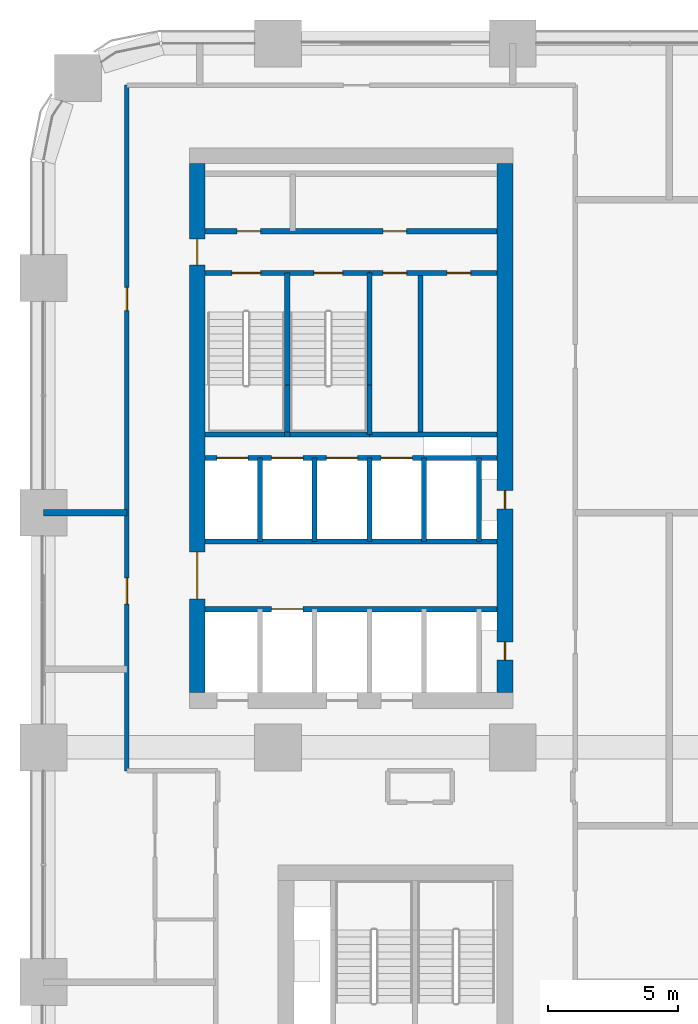
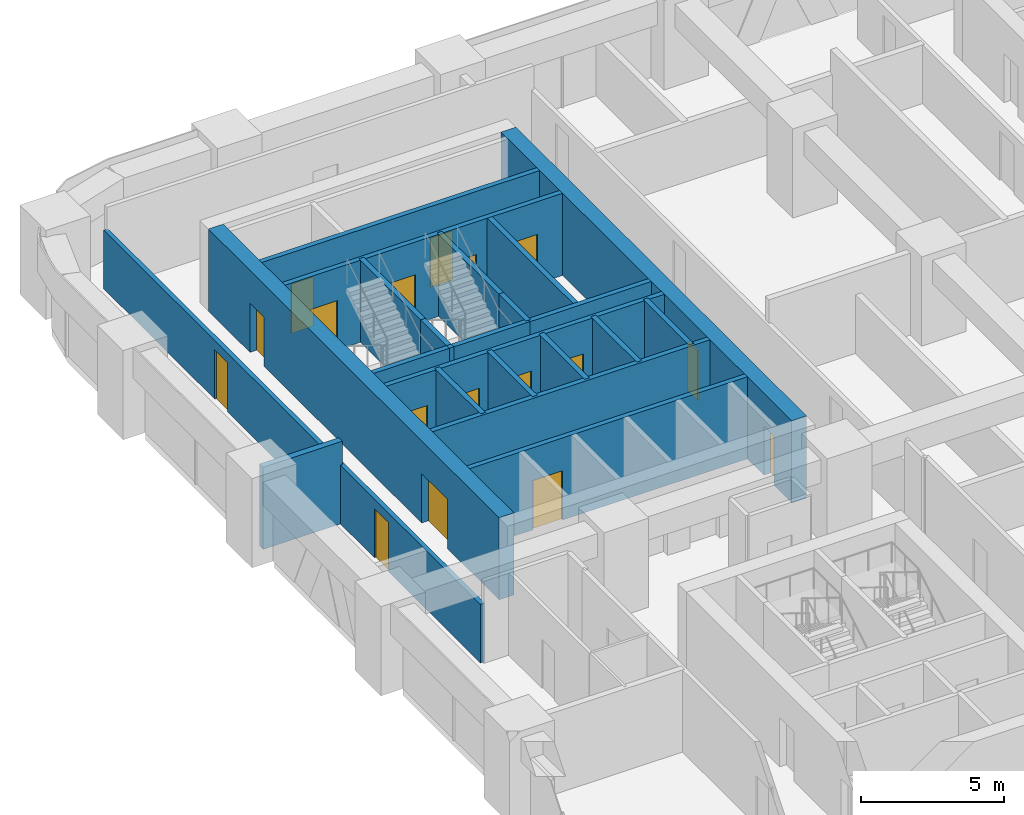
# One storey, part 16 of 21: 24 walls, 17 doors, 17 openings.
"""IFC4 building model written with IfcOpenShell, lengths in metres."""

from ifc_helpers import new_model, si_unit, direction, frame, frame_2d, origin, place, context, subcontext, project, spatial, rectangle, extrude, material, layer, layer_set, type_object, element, fill, save


model = new_model("IFC4")

# Units and contexts
model_context = context("Model", 3, precision=1e-05, world=origin(), true_north=direction((0.0, 1.0)))
body_context = subcontext(model_context, "Body", "Model", "MODEL_VIEW")
ifc_project = project(units=[si_unit("LENGTHUNIT", "METRE"), si_unit("AREAUNIT", "SQUARE_METRE"), si_unit("VOLUMEUNIT", "CUBIC_METRE"), si_unit("PLANEANGLEUNIT", "RADIAN"), si_unit("MASSUNIT", "GRAM", prefix="KILO")], contexts=[model_context])

# Site, building, storey
site_placement = place(None, origin())
site = spatial("IfcSite", under=ifc_project, at=site_placement, CompositionType="ELEMENT")
building_placement = place(site_placement, origin())
building = spatial("IfcBuilding", under=site, at=building_placement, Name="Tessera Arch", CompositionType="ELEMENT")
storey_placement = place(building_placement, frame((0.0, 0.0, 65.199951171875)))
storey = spatial("IfcBuildingStorey", under=building, at=storey_placement, Name="L14", CompositionType="ELEMENT", Elevation=65.199951171875)

# Wall
ifc_material_1 = material(Name="Gypsum board on steel stud", Category="steel")
ifc_layer_1 = layer(ifc_material_1, 0.125)
ifc_layer_set_1 = layer_set([ifc_layer_1], Name="Core partition 125 EI 60")
wall_type_1 = type_object("IfcWallType", Name="Core partition 125 EI 60", PredefinedType="PARTITIONING", material=ifc_layer_set_1)
wall_1_placement = place(storey_placement, frame((14.4599609375, 39.0, 0.0), z_axis=(0.0, 0.0, 1.0), x_axis=(0.0, 1.0, 0.0)))
element("IfcWall", 1, at=wall_1_placement, inside=storey, type_object=wall_type_1, Name="L14 C2 partition wall 12", PredefinedType="PARTITIONING", context=body_context, shape_type="SweptSolid", body=[
    extrude(rectangle(XDim=6.199951171875, YDim=0.199951171875, at=frame_2d((3.10009765625, 0.0))), origin(), (0.0, 0.0, 1.0), 3.5),
])

# Wall, openings, doors
wall_2_placement = place(storey_placement, frame((12.5, 45.199951171875, 0.0), z_axis=(0.0, 0.0, 1.0), x_axis=(1.0, 0.0, 0.0)))
wall_2 = element("IfcWall", 2, at=wall_2_placement, inside=storey, type_object=wall_type_1, Name="L14 C2 partition wall 24", PredefinedType="PARTITIONING", context=body_context, shape_type="SweptSolid", body=[
    extrude(rectangle(XDim=4.89990234375, YDim=0.199951171875, at=frame_2d((2.449951171875, 0.0))), origin(), (0.0, 0.0, 1.0), 3.5),
])
opening_1_placement = place(wall_2_placement, frame((0.530029296875, 0.0, 0.0)))
opening_1 = element("IfcOpeningElement", 3, at=opening_1_placement, cuts=wall_2, Name="Opening L14-C30", PredefinedType="OPENING", context=body_context, shape_type="SweptSolid", body=[
    extrude(rectangle(XDim=0.89990234375, YDim=2.10009765625, at=frame_2d((0.449951171875, 1.050048828125))), frame((0.0, 0.10986328125, 0.0), z_axis=(0.0, -1.0, 0.0), x_axis=(1.0, 0.0, 0.0)), (0.0, 0.0, 1.0), 0.219970703125),
])
opening_2_placement = place(wall_2_placement, frame((2.97998046875, 0.0, 0.0)))
opening_2 = element("IfcOpeningElement", 4, at=opening_2_placement, cuts=wall_2, Name="Opening L14-C31", PredefinedType="OPENING", context=body_context, shape_type="SweptSolid", body=[
    extrude(rectangle(XDim=0.89990234375, YDim=2.10009765625, at=frame_2d((0.449951171875, 1.050048828125))), frame((0.0, 0.10986328125, 0.0), z_axis=(0.0, -1.0, 0.0), x_axis=(1.0, 0.0, 0.0)), (0.0, 0.0, 1.0), 0.219970703125),
])
ifc_material_2 = material(Name="Steel door leaf", Category="steel")
door_type_1 = type_object("IfcDoorType", Name="Store door FD30S 900 x 2100", OperationType="SINGLE_SWING_LEFT", PredefinedType="DOOR", material=ifc_material_2)
door_1_placement = place(opening_1_placement, origin())
door_1 = element("IfcDoor", 5, at=door_1_placement, inside=storey, type_object=door_type_1, Name="L14 C2 door 17 C30 type D09", OperationType="SINGLE_SWING_LEFT", OverallHeight=2.10009765625, OverallWidth=0.89990234375, PredefinedType="DOOR", context=body_context, shape_type="SweptSolid", body=[
    extrude(rectangle(XDim=0.89990234375, YDim=2.10009765625, at=frame_2d((0.449951171875, 1.050048828125))), frame((0.0, 0.02490234375, 0.0), z_axis=(0.0, -1.0, 0.0), x_axis=(1.0, 0.0, 0.0)), (0.0, 0.0, 1.0), 0.050048828125),
])
fill(opening_1, door_1)
door_2_placement = place(opening_2_placement, origin())
door_2 = element("IfcDoor", 6, at=door_2_placement, inside=storey, type_object=door_type_1, Name="L14 C2 door 18 C31 type D09", OperationType="SINGLE_SWING_RIGHT", OverallHeight=2.10009765625, OverallWidth=0.89990234375, PredefinedType="DOOR", context=body_context, shape_type="SweptSolid", body=[
    extrude(rectangle(XDim=0.89990234375, YDim=2.10009765625, at=frame_2d((0.449951171875, 1.050048828125))), frame((0.0, 0.02490234375, 0.0), z_axis=(0.0, -1.0, 0.0), x_axis=(1.0, 0.0, 0.0)), (0.0, 0.0, 1.0), 0.050048828125),
])
fill(opening_2, door_2)

wall_3_placement = place(storey_placement, frame((6.199951171875, 46.800048828125, 0.0), z_axis=(0.0, 0.0, 1.0), x_axis=(1.0, 0.0, 0.0)))
wall_3 = element("IfcWall", 7, at=wall_3_placement, inside=storey, type_object=wall_type_1, Name="L14 C2 partition wall 26", PredefinedType="PARTITIONING", context=body_context, shape_type="SweptSolid", body=[
    extrude(rectangle(XDim=11.199951171875, YDim=0.199951171875, at=frame_2d((5.60009765625, 0.0))), origin(), (0.0, 0.0, 1.0), 3.5),
])
opening_3_placement = place(wall_3_placement, frame((1.22998046875, 0.0, 0.0)))
opening_3 = element("IfcOpeningElement", 8, at=opening_3_placement, cuts=wall_3, Name="Opening L14-C28", PredefinedType="OPENING", context=body_context, shape_type="SweptSolid", body=[
    extrude(rectangle(XDim=0.89990234375, YDim=2.10009765625, at=frame_2d((0.449951171875, 1.050048828125))), frame((0.0, 0.10986328125, 0.0), z_axis=(0.0, -1.0, 0.0), x_axis=(1.0, 0.0, 0.0)), (0.0, 0.0, 1.0), 0.219970703125),
])
opening_4_placement = place(wall_3_placement, frame((6.830078125, 0.0, 0.0)))
opening_4 = element("IfcOpeningElement", 9, at=opening_4_placement, cuts=wall_3, Name="Opening L14-C29", PredefinedType="OPENING", context=body_context, shape_type="SweptSolid", body=[
    extrude(rectangle(XDim=0.89990234375, YDim=2.10009765625, at=frame_2d((0.449951171875, 1.050048828125))), frame((0.0, 0.10986328125, 0.0), z_axis=(0.0, -1.0, 0.0), x_axis=(1.0, 0.0, 0.0)), (0.0, 0.0, 1.0), 0.219970703125),
])
door_3_placement = place(opening_3_placement, origin())
door_3 = element("IfcDoor", 10, at=door_3_placement, inside=storey, type_object=door_type_1, Name="L14 C2 door 15 C28 type D09", OperationType="SINGLE_SWING_LEFT", OverallHeight=2.10009765625, OverallWidth=0.89990234375, PredefinedType="DOOR", context=body_context, shape_type="SweptSolid", body=[
    extrude(rectangle(XDim=0.89990234375, YDim=2.10009765625, at=frame_2d((0.449951171875, 1.050048828125))), frame((0.0, 0.02490234375, 0.0), z_axis=(0.0, -1.0, 0.0), x_axis=(1.0, 0.0, 0.0)), (0.0, 0.0, 1.0), 0.050048828125),
])
fill(opening_3, door_3)
door_4_placement = place(opening_4_placement, origin())
door_4 = element("IfcDoor", 11, at=door_4_placement, inside=storey, type_object=door_type_1, Name="L14 C2 door 16 C29 type D09", OperationType="SINGLE_SWING_RIGHT", OverallHeight=2.10009765625, OverallWidth=0.89990234375, PredefinedType="DOOR", context=body_context, shape_type="SweptSolid", body=[
    extrude(rectangle(XDim=0.89990234375, YDim=2.10009765625, at=frame_2d((0.449951171875, 1.050048828125))), frame((0.0, 0.02490234375, 0.0), z_axis=(0.0, -1.0, 0.0), x_axis=(1.0, 0.0, 0.0)), (0.0, 0.0, 1.0), 0.050048828125),
])
fill(opening_4, door_4)

ifc_material_3 = material(Name="Concrete C70/85", Category="concrete")
ifc_layer_2 = layer(ifc_material_3, 0.60009765625)
ifc_layer_set_2 = layer_set([ifc_layer_2], Name="Core shell wall 600 C70-85")
wall_type_2 = type_object("IfcWallType", Name="Core shell wall 600 C70-85", PredefinedType="SHEAR", material=ifc_layer_set_2)
wall_4_placement = place(storey_placement, frame((5.89990234375, 29.10009765625, 0.0), z_axis=(0.0, 0.0, 1.0), x_axis=(0.0, 1.0, 0.0)))
wall_4 = element("IfcWall", 12, at=wall_4_placement, inside=storey, type_object=wall_type_2, Name="L14 C2 core wall W", PredefinedType="SHEAR", context=body_context, shape_type="SweptSolid", body=[
    extrude(rectangle(XDim=20.2998046875, YDim=0.60009765625, at=frame_2d((10.14990234375, 0.0))), origin(), (0.0, 0.0, 1.0), 3.5),
])
opening_5_placement = place(wall_4_placement, frame((3.60009765625, 0.0, 0.0)))
opening_5 = element("IfcOpeningElement", 13, at=opening_5_placement, cuts=wall_4, Name="Opening L14-C24", PredefinedType="OPENING", context=body_context, shape_type="SweptSolid", body=[
    extrude(rectangle(XDim=1.800048828125, YDim=2.10009765625, at=frame_2d((0.89990234375, 1.050048828125))), frame((0.0, 0.31005859375, 0.0), z_axis=(0.0, -1.0, 0.0), x_axis=(1.0, 0.0, 0.0)), (0.0, 0.0, 1.0), 0.6201171875),
])
opening_6_placement = place(wall_4_placement, frame((16.39990234375, 0.0, 0.0)))
opening_6 = element("IfcOpeningElement", 14, at=opening_6_placement, cuts=wall_4, Name="Opening L14-C27", PredefinedType="OPENING", context=body_context, shape_type="SweptSolid", body=[
    extrude(rectangle(XDim=1.0, YDim=2.10009765625, at=frame_2d((0.5, 1.050048828125))), frame((0.0, 0.31005859375, 0.0), z_axis=(0.0, -1.0, 0.0), x_axis=(1.0, 0.0, 0.0)), (0.0, 0.0, 1.0), 0.6201171875),
])
ifc_material_4 = material(Name="Steel door leaf", Category="steel")
door_type_2 = type_object("IfcDoorType", Name="Corridor door FD60 1000 x 2100", OperationType="SINGLE_SWING_LEFT", PredefinedType="DOOR", material=ifc_material_4)
door_5_placement = place(opening_6_placement, origin())
door_5 = element("IfcDoor", 15, at=door_5_placement, inside=storey, type_object=door_type_2, Name="L14 C2 door 14 C27 type D12", OperationType="SINGLE_SWING_RIGHT", OverallHeight=2.10009765625, OverallWidth=1.0, PredefinedType="DOOR", context=body_context, shape_type="SweptSolid", body=[
    extrude(rectangle(XDim=1.0, YDim=2.10009765625, at=frame_2d((0.5, 1.050048828125))), frame((0.0, 0.02490234375, 0.0), z_axis=(0.0, -1.0, 0.0), x_axis=(1.0, 0.0, 0.0)), (0.0, 0.0, 1.0), 0.050048828125),
])
fill(opening_6, door_5)
ifc_material_5 = material(Name="Glazed steel door leaf", Category="steel")
door_type_3 = type_object("IfcDoorType", Name="Lobby double door FD30S 1800 x 2100", OperationType="DOUBLE_DOOR_SINGLE_SWING", PredefinedType="DOOR", material=ifc_material_5)
door_6_placement = place(opening_5_placement, origin())
door_6 = element("IfcDoor", 16, at=door_6_placement, inside=storey, type_object=door_type_3, Name="L14 C2 door 11 C24 type D06", OperationType="DOUBLE_DOOR_SINGLE_SWING", OverallHeight=2.10009765625, OverallWidth=1.800048828125, PredefinedType="DOOR", context=body_context, shape_type="SweptSolid", body=[
    extrude(rectangle(XDim=1.800048828125, YDim=2.10009765625, at=frame_2d((0.89990234375, 1.050048828125))), frame((0.0, 0.02490234375, 0.0), z_axis=(0.0, -1.0, 0.0), x_axis=(1.0, 0.0, 0.0)), (0.0, 0.0, 1.0), 0.050048828125),
])
fill(opening_5, door_6)

wall_5_placement = place(storey_placement, frame((17.699951171875, 29.10009765625, 0.0), z_axis=(0.0, 0.0, 1.0), x_axis=(0.0, 1.0, 0.0)))
wall_5 = element("IfcWall", 17, at=wall_5_placement, inside=storey, type_object=wall_type_2, Name="L14 C2 core wall E", PredefinedType="SHEAR", context=body_context, shape_type="SweptSolid", body=[
    extrude(rectangle(XDim=20.2998046875, YDim=0.60009765625, at=frame_2d((10.14990234375, 0.0))), origin(), (0.0, 0.0, 1.0), 3.5),
])
opening_7_placement = place(wall_5_placement, frame((1.25, 0.0, 0.0)))
opening_7 = element("IfcOpeningElement", 18, at=opening_7_placement, cuts=wall_5, Name="Opening L14-C22", PredefinedType="OPENING", context=body_context, shape_type="SweptSolid", body=[
    extrude(rectangle(XDim=0.699951171875, YDim=2.10009765625, at=frame_2d((0.35009765625, 1.050048828125))), frame((0.0, 0.31005859375, 0.0), z_axis=(0.0, -1.0, 0.0), x_axis=(1.0, 0.0, 0.0)), (0.0, 0.0, 1.0), 0.6201171875),
])
opening_8_placement = place(wall_5_placement, frame((7.050048828125, 0.0, 0.0)))
opening_8 = element("IfcOpeningElement", 19, at=opening_8_placement, cuts=wall_5, Name="Opening L14-C23", PredefinedType="OPENING", context=body_context, shape_type="SweptSolid", body=[
    extrude(rectangle(XDim=0.699951171875, YDim=2.10009765625, at=frame_2d((0.35009765625, 1.050048828125))), frame((0.0, 0.31005859375, 0.0), z_axis=(0.0, -1.0, 0.0), x_axis=(1.0, 0.0, 0.0)), (0.0, 0.0, 1.0), 0.6201171875),
])
ifc_material_6 = material(Name="Steel door leaf", Category="steel")
door_type_4 = type_object("IfcDoorType", Name="Service shaft door FD60 700 x 2100", OperationType="SINGLE_SWING_LEFT", PredefinedType="DOOR", material=ifc_material_6)
door_7_placement = place(opening_7_placement, origin())
door_7 = element("IfcDoor", 20, at=door_7_placement, inside=storey, type_object=door_type_4, Name="L14 C2 door 9 C22 type D07", OperationType="SINGLE_SWING_LEFT", OverallHeight=2.10009765625, OverallWidth=0.699951171875, PredefinedType="DOOR", context=body_context, shape_type="SweptSolid", body=[
    extrude(rectangle(XDim=0.699951171875, YDim=2.10009765625, at=frame_2d((0.35009765625, 1.050048828125))), frame((0.0, 0.02490234375, 0.0), z_axis=(0.0, -1.0, 0.0), x_axis=(1.0, 0.0, 0.0)), (0.0, 0.0, 1.0), 0.050048828125),
])
fill(opening_7, door_7)
door_8_placement = place(opening_8_placement, origin())
door_8 = element("IfcDoor", 21, at=door_8_placement, inside=storey, type_object=door_type_4, Name="L14 C2 door 10 C23 type D07", OperationType="SINGLE_SWING_LEFT", OverallHeight=2.10009765625, OverallWidth=0.699951171875, PredefinedType="DOOR", context=body_context, shape_type="SweptSolid", body=[
    extrude(rectangle(XDim=0.699951171875, YDim=2.10009765625, at=frame_2d((0.35009765625, 1.050048828125))), frame((0.0, 0.02490234375, 0.0), z_axis=(0.0, -1.0, 0.0), x_axis=(1.0, 0.0, 0.0)), (0.0, 0.0, 1.0), 0.050048828125),
])
fill(opening_8, door_8)

ifc_material_7 = material(Name="Gypsum board on deep steel stud with mineral wool", Category="steel")
ifc_layer_3 = layer(ifc_material_7, 0.175048828125)
ifc_layer_set_3 = layer_set([ifc_layer_3], Name="Corridor wall 175 EI 60")
wall_type_3 = type_object("IfcWallType", Name="Corridor wall 175 EI 60", PredefinedType="PARTITIONING", material=ifc_layer_set_3)
wall_6_placement = place(storey_placement, frame((3.199951171875, 26.10009765625, 0.0), z_axis=(0.0, 0.0, 1.0), x_axis=(0.0, 1.0, 0.0)))
wall_6 = element("IfcWall", 22, at=wall_6_placement, inside=storey, type_object=wall_type_3, Name="L14 partition 17", PredefinedType="PARTITIONING", context=body_context, shape_type="SweptSolid", body=[
    extrude(rectangle(XDim=26.2998046875, YDim=0.175048828125, at=frame_2d((13.14990234375, 0.0))), origin(), (0.0, 0.0, 1.0), 2.5),
])
opening_9_placement = place(wall_6_placement, frame((6.39990234375, 0.0, 0.0)))
opening_9 = element("IfcOpeningElement", 23, at=opening_9_placement, cuts=wall_6, Name="Opening L14-D021", PredefinedType="OPENING", context=body_context, shape_type="SweptSolid", body=[
    extrude(rectangle(XDim=1.0, YDim=2.10009765625, at=frame_2d((0.5, 1.050048828125))), frame((0.0, 0.097412109375, 0.0), z_axis=(0.0, -1.0, 0.0), x_axis=(1.0, 0.0, 0.0)), (0.0, 0.0, 1.0), 0.195068359375),
])
opening_10_placement = place(wall_6_placement, frame((17.64990234375, 0.0, 0.0)))
opening_10 = element("IfcOpeningElement", 24, at=opening_10_placement, cuts=wall_6, Name="Opening L14-D025", PredefinedType="OPENING", context=body_context, shape_type="SweptSolid", body=[
    extrude(rectangle(XDim=0.89990234375, YDim=2.10009765625, at=frame_2d((0.449951171875, 1.050048828125))), frame((0.0, 0.097412109375, 0.0), z_axis=(0.0, -1.0, 0.0), x_axis=(1.0, 0.0, 0.0)), (0.0, 0.0, 1.0), 0.195068359375),
])
ifc_material_8 = material(Name="Fire-rated door leaf")
door_type_5 = type_object("IfcDoorType", Name="Entrance door FD30S 1000 x 2100", OperationType="SINGLE_SWING_LEFT", PredefinedType="DOOR", material=ifc_material_8)
door_9_placement = place(opening_9_placement, origin())
door_9 = element("IfcDoor", 25, at=door_9_placement, inside=storey, type_object=door_type_5, Name="L14 door D021 type D03", OperationType="SINGLE_SWING_LEFT", OverallHeight=2.10009765625, OverallWidth=1.0, PredefinedType="DOOR", context=body_context, shape_type="SweptSolid", body=[
    extrude(rectangle(XDim=1.0, YDim=2.10009765625, at=frame_2d((0.5, 1.050048828125))), frame((0.0, 0.02490234375, 0.0), z_axis=(0.0, -1.0, 0.0), x_axis=(1.0, 0.0, 0.0)), (0.0, 0.0, 1.0), 0.050048828125),
])
fill(opening_9, door_9)
ifc_material_9 = material(Name="Timber door leaf", Category="wood")
door_type_6 = type_object("IfcDoorType", Name="Room door 900 x 2100", OperationType="SINGLE_SWING_LEFT", PredefinedType="DOOR", material=ifc_material_9)
door_10_placement = place(opening_10_placement, origin())
door_10 = element("IfcDoor", 26, at=door_10_placement, inside=storey, type_object=door_type_6, Name="L14 door D025 type D01", OperationType="SINGLE_SWING_LEFT", OverallHeight=2.10009765625, OverallWidth=0.89990234375, PredefinedType="DOOR", context=body_context, shape_type="SweptSolid", body=[
    extrude(rectangle(XDim=0.89990234375, YDim=2.10009765625, at=frame_2d((0.449951171875, 1.050048828125))), frame((0.0, 0.02490234375, 0.0), z_axis=(0.0, -1.0, 0.0), x_axis=(1.0, 0.0, 0.0)), (0.0, 0.0, 1.0), 0.050048828125),
])
fill(opening_10, door_10)

# Walls
ifc_material_10 = material(Name="Double gypsum board on twin steel stud with acoustic mineral wool", Category="steel")
ifc_layer_4 = layer(ifc_material_10, 0.25)
ifc_layer_set_4 = layer_set([ifc_layer_4], Name="Party wall 250 EI 60")
wall_type_4 = type_object("IfcWallType", Name="Party wall 250 EI 60", PredefinedType="PARTITIONING", material=ifc_layer_set_4)
wall_7_placement = place(storey_placement, frame((0.0, 36.0, 0.0), z_axis=(0.0, 0.0, 1.0), x_axis=(1.0, 0.0, 0.0)))
element("IfcWall", 27, at=wall_7_placement, inside=storey, type_object=wall_type_4, Name="L14 partition 42", PredefinedType="PARTITIONING", context=body_context, shape_type="SweptSolid", body=[
    extrude(rectangle(XDim=3.199951171875, YDim=0.25, at=frame_2d((1.60009765625, 0.0))), origin(), (0.0, 0.0, 1.0), 3.5),
])
ifc_material_11 = material(Name="Concrete C40/50", Category="concrete")
ifc_layer_5 = layer(ifc_material_11, 0.199951171875)
ifc_layer_set_5 = layer_set([ifc_layer_5], Name="Shaft wall 200 EI 120")
wall_type_5 = type_object("IfcWallType", Name="Shaft wall 200 EI 120", PredefinedType="SOLIDWALL", material=ifc_layer_set_5)
for number, where, z_axis, x_axis, name in (
    (28, (8.300048828125, 34.89990234375, 0.0), (0.0, 0.0, 1.0), (0.0, 1.0, 0.0), "L14 C2 shaft wall 2"),
    (29, (10.39990234375, 34.89990234375, 0.0), (0.0, 0.0, 1.0), (0.0, 1.0, 0.0), "L14 C2 shaft wall 7"),
    (30, (12.5, 34.89990234375, 0.0), (0.0, 0.0, 1.0), (0.0, 1.0, 0.0), "L14 C2 shaft wall 9"),
    (31, (14.60009765625, 34.89990234375, 0.0), (0.0, 0.0, 1.0), (0.0, 1.0, 0.0), "L14 C2 shaft wall 14"),
    (32, (16.699951171875, 34.89990234375, 0.0), (0.0, 0.0, 1.0), (0.0, 1.0, 0.0), "L14 C2 shaft wall 16"),
):
    element("IfcWall", number, at=place(storey_placement, frame(where, z_axis=z_axis, x_axis=x_axis)), inside=storey, type_object=wall_type_5, Name=name, PredefinedType="SOLIDWALL", context=body_context, shape_type="SweptSolid", body=[
        extrude(rectangle(XDim=3.2001953125, YDim=0.199951171875, at=frame_2d((1.60009765625, 0.0))), origin(), (0.0, 0.0, 1.0), 3.5),
    ])

# Wall, opening, door
wall_8_placement = place(storey_placement, frame((6.199951171875, 32.300048828125, 0.0), z_axis=(0.0, 0.0, 1.0), x_axis=(1.0, 0.0, 0.0)))
wall_8 = element("IfcWall", 33, at=wall_8_placement, inside=storey, type_object=wall_type_5, Name="L14 C2 shaft wall 17", PredefinedType="SOLIDWALL", context=body_context, shape_type="SweptSolid", body=[
    extrude(rectangle(XDim=11.199951171875, YDim=0.199951171875, at=frame_2d((5.60009765625, 0.0))), origin(), (0.0, 0.0, 1.0), 3.5),
])
opening_11_placement = place(wall_8_placement, frame((2.550048828125, 0.0, 0.0)))
opening_11 = element("IfcOpeningElement", 34, at=opening_11_placement, cuts=wall_8, Name="Opening L14-C15", PredefinedType="OPENING", context=body_context, shape_type="SweptSolid", body=[
    extrude(rectangle(XDim=1.199951171875, YDim=2.10009765625, at=frame_2d((0.60009765625, 1.050048828125))), frame((0.0, 0.10986328125, 0.0), z_axis=(0.0, -1.0, 0.0), x_axis=(1.0, 0.0, 0.0)), (0.0, 0.0, 1.0), 0.219970703125),
])
ifc_material_12 = material(Name="Stainless steel AISI 304", Category="steel")
door_type_7 = type_object("IfcDoorType", Name="Sliding landing door 1200 x 2100", OperationType="SLIDING_TO_LEFT", PredefinedType="DOOR", material=ifc_material_12)
door_11_placement = place(opening_11_placement, origin())
door_11 = element("IfcDoor", 35, at=door_11_placement, inside=storey, type_object=door_type_7, Name="L14 LR2 lift landing door C15 type LD", OperationType="SLIDING_TO_LEFT", OverallHeight=2.10009765625, OverallWidth=1.199951171875, PredefinedType="DOOR", context=body_context, shape_type="SweptSolid", body=[
    extrude(rectangle(XDim=1.199951171875, YDim=2.10009765625, at=frame_2d((0.60009765625, 1.050048828125))), frame((0.0, 0.02490234375, 0.0), z_axis=(0.0, -1.0, 0.0), x_axis=(1.0, 0.0, 0.0)), (0.0, 0.0, 1.0), 0.050048828125),
])
fill(opening_11, door_11)

# Wall
wall_9_placement = place(storey_placement, frame((6.199951171875, 34.89990234375, 0.0), z_axis=(0.0, 0.0, 1.0), x_axis=(1.0, 0.0, 0.0)))
element("IfcWall", 36, at=wall_9_placement, inside=storey, type_object=wall_type_5, Name="L14 C2 shaft wall 18", PredefinedType="SOLIDWALL", context=body_context, shape_type="SweptSolid", body=[
    extrude(rectangle(XDim=11.199951171875, YDim=0.199951171875, at=frame_2d((5.60009765625, 0.0))), origin(), (0.0, 0.0, 1.0), 3.5),
])

# Wall, openings, doors
wall_10_placement = place(storey_placement, frame((6.199951171875, 38.10009765625, 0.0), z_axis=(0.0, 0.0, 1.0), x_axis=(1.0, 0.0, 0.0)))
wall_10 = element("IfcWall", 37, at=wall_10_placement, inside=storey, type_object=wall_type_5, Name="L14 C2 shaft wall 19", PredefinedType="SOLIDWALL", context=body_context, shape_type="SweptSolid", body=[
    extrude(rectangle(XDim=11.199951171875, YDim=0.199951171875, at=frame_2d((5.60009765625, 0.0))), origin(), (0.0, 0.0, 1.0), 3.5),
])
opening_12_placement = place(wall_10_placement, frame((0.449951171875, 0.0, 0.0)))
opening_12 = element("IfcOpeningElement", 38, at=opening_12_placement, cuts=wall_10, Name="Opening L14-C18", PredefinedType="OPENING", context=body_context, shape_type="SweptSolid", body=[
    extrude(rectangle(XDim=1.199951171875, YDim=2.10009765625, at=frame_2d((0.60009765625, 1.050048828125))), frame((0.0, 0.10986328125, 0.0), z_axis=(0.0, -1.0, 0.0), x_axis=(1.0, 0.0, 0.0)), (0.0, 0.0, 1.0), 0.219970703125),
])
opening_13_placement = place(wall_10_placement, frame((2.550048828125, 0.0, 0.0)))
opening_13 = element("IfcOpeningElement", 39, at=opening_13_placement, cuts=wall_10, Name="Opening L14-C19", PredefinedType="OPENING", context=body_context, shape_type="SweptSolid", body=[
    extrude(rectangle(XDim=1.199951171875, YDim=2.10009765625, at=frame_2d((0.60009765625, 1.050048828125))), frame((0.0, 0.10986328125, 0.0), z_axis=(0.0, -1.0, 0.0), x_axis=(1.0, 0.0, 0.0)), (0.0, 0.0, 1.0), 0.219970703125),
])
opening_14_placement = place(wall_10_placement, frame((4.64990234375, 0.0, 0.0)))
opening_14 = element("IfcOpeningElement", 40, at=opening_14_placement, cuts=wall_10, Name="Opening L14-C20", PredefinedType="OPENING", context=body_context, shape_type="SweptSolid", body=[
    extrude(rectangle(XDim=1.199951171875, YDim=2.10009765625, at=frame_2d((0.60009765625, 1.050048828125))), frame((0.0, 0.10986328125, 0.0), z_axis=(0.0, -1.0, 0.0), x_axis=(1.0, 0.0, 0.0)), (0.0, 0.0, 1.0), 0.219970703125),
])
opening_15_placement = place(wall_10_placement, frame((6.75, 0.0, 0.0)))
opening_15 = element("IfcOpeningElement", 41, at=opening_15_placement, cuts=wall_10, Name="Opening L14-C21", PredefinedType="OPENING", context=body_context, shape_type="SweptSolid", body=[
    extrude(rectangle(XDim=1.199951171875, YDim=2.10009765625, at=frame_2d((0.60009765625, 1.050048828125))), frame((0.0, 0.10986328125, 0.0), z_axis=(0.0, -1.0, 0.0), x_axis=(1.0, 0.0, 0.0)), (0.0, 0.0, 1.0), 0.219970703125),
])
door_12_placement = place(opening_12_placement, origin())
door_12 = element("IfcDoor", 42, at=door_12_placement, inside=storey, type_object=door_type_7, Name="L14 LR5 lift landing door C18 type LD", OperationType="SLIDING_TO_LEFT", OverallHeight=2.10009765625, OverallWidth=1.199951171875, PredefinedType="DOOR", context=body_context, shape_type="SweptSolid", body=[
    extrude(rectangle(XDim=1.199951171875, YDim=2.10009765625, at=frame_2d((0.60009765625, 1.050048828125))), frame((0.0, 0.02490234375, 0.0), z_axis=(0.0, -1.0, 0.0), x_axis=(1.0, 0.0, 0.0)), (0.0, 0.0, 1.0), 0.050048828125),
])
fill(opening_12, door_12)
door_13_placement = place(opening_13_placement, origin())
door_13 = element("IfcDoor", 43, at=door_13_placement, inside=storey, type_object=door_type_7, Name="L14 LR6 lift landing door C19 type LD", OperationType="SLIDING_TO_LEFT", OverallHeight=2.10009765625, OverallWidth=1.199951171875, PredefinedType="DOOR", context=body_context, shape_type="SweptSolid", body=[
    extrude(rectangle(XDim=1.199951171875, YDim=2.10009765625, at=frame_2d((0.60009765625, 1.050048828125))), frame((0.0, 0.02490234375, 0.0), z_axis=(0.0, -1.0, 0.0), x_axis=(1.0, 0.0, 0.0)), (0.0, 0.0, 1.0), 0.050048828125),
])
fill(opening_13, door_13)
door_14_placement = place(opening_14_placement, origin())
door_14 = element("IfcDoor", 44, at=door_14_placement, inside=storey, type_object=door_type_7, Name="L14 LR7 lift landing door C20 type LD", OperationType="SLIDING_TO_LEFT", OverallHeight=2.10009765625, OverallWidth=1.199951171875, PredefinedType="DOOR", context=body_context, shape_type="SweptSolid", body=[
    extrude(rectangle(XDim=1.199951171875, YDim=2.10009765625, at=frame_2d((0.60009765625, 1.050048828125))), frame((0.0, 0.02490234375, 0.0), z_axis=(0.0, -1.0, 0.0), x_axis=(1.0, 0.0, 0.0)), (0.0, 0.0, 1.0), 0.050048828125),
])
fill(opening_14, door_14)
door_15_placement = place(opening_15_placement, origin())
door_15 = element("IfcDoor", 45, at=door_15_placement, inside=storey, type_object=door_type_7, Name="L14 LR8 lift landing door C21 type LD", OperationType="SLIDING_TO_LEFT", OverallHeight=2.10009765625, OverallWidth=1.199951171875, PredefinedType="DOOR", context=body_context, shape_type="SweptSolid", body=[
    extrude(rectangle(XDim=1.199951171875, YDim=2.10009765625, at=frame_2d((0.60009765625, 1.050048828125))), frame((0.0, 0.02490234375, 0.0), z_axis=(0.0, -1.0, 0.0), x_axis=(1.0, 0.0, 0.0)), (0.0, 0.0, 1.0), 0.050048828125),
])
fill(opening_15, door_15)

# Walls
wall_11_placement = place(storey_placement, frame((12.5, 39.0, 0.0), z_axis=(0.0, 0.0, 1.0), x_axis=(1.0, 0.0, 0.0)))
element("IfcWall", 46, at=wall_11_placement, inside=storey, type_object=wall_type_5, Name="L14 C2 shaft wall 20", PredefinedType="SOLIDWALL", context=body_context, shape_type="SweptSolid", body=[
    extrude(rectangle(XDim=4.89990234375, YDim=0.199951171875, at=frame_2d((2.449951171875, 0.0))), origin(), (0.0, 0.0, 1.0), 3.5),
])
ifc_material_13 = material(Name="Concrete C40/50", Category="concrete")
ifc_layer_6 = layer(ifc_material_13, 0.199951171875)
ifc_layer_set_6 = layer_set([ifc_layer_6], Name="Stair well wall 200 REI 180")
wall_type_6 = type_object("IfcWallType", Name="Stair well wall 200 REI 180", PredefinedType="SOLIDWALL", material=ifc_layer_set_6)
wall_12_placement = place(storey_placement, frame((9.35009765625, 39.0, 0.0), z_axis=(0.0, 0.0, 1.0), x_axis=(0.0, 1.0, 0.0)))
element("IfcWall", 47, at=wall_12_placement, inside=storey, type_object=wall_type_6, Name="L14 C2 shaft wall 3", PredefinedType="SOLIDWALL", context=body_context, shape_type="SweptSolid", body=[
    extrude(rectangle(XDim=1.89990234375, YDim=0.199951171875, at=frame_2d((0.949951171875, 0.0))), origin(), (0.0, 0.0, 1.0), 3.5),
])
wall_13_placement = place(storey_placement, frame((9.35009765625, 40.89990234375, 0.0), z_axis=(0.0, 0.0, 1.0), x_axis=(0.0, 1.0, 0.0)))
element("IfcWall", 48, at=wall_13_placement, inside=storey, type_object=wall_type_6, Name="L14 C2 shaft wall 4", PredefinedType="SOLIDWALL", context=body_context, shape_type="SweptSolid", body=[
    extrude(rectangle(XDim=4.300048828125, YDim=0.199951171875, at=frame_2d((2.14990234375, 0.0))), origin(), (0.0, 0.0, 1.0), 3.5),
])
wall_14_placement = place(storey_placement, frame((12.5, 39.0, 0.0), z_axis=(0.0, 0.0, 1.0), x_axis=(0.0, 1.0, 0.0)))
element("IfcWall", 49, at=wall_14_placement, inside=storey, type_object=wall_type_6, Name="L14 C2 shaft wall 10", PredefinedType="SOLIDWALL", context=body_context, shape_type="SweptSolid", body=[
    extrude(rectangle(XDim=1.89990234375, YDim=0.199951171875, at=frame_2d((0.949951171875, 0.0))), origin(), (0.0, 0.0, 1.0), 3.5),
])
wall_15_placement = place(storey_placement, frame((12.5, 40.89990234375, 0.0), z_axis=(0.0, 0.0, 1.0), x_axis=(0.0, 1.0, 0.0)))
element("IfcWall", 50, at=wall_15_placement, inside=storey, type_object=wall_type_6, Name="L14 C2 shaft wall 11", PredefinedType="SOLIDWALL", context=body_context, shape_type="SweptSolid", body=[
    extrude(rectangle(XDim=4.300048828125, YDim=0.199951171875, at=frame_2d((2.14990234375, 0.0))), origin(), (0.0, 0.0, 1.0), 3.5),
])
wall_16_placement = place(storey_placement, frame((6.199951171875, 39.0, 0.0), z_axis=(0.0, 0.0, 1.0), x_axis=(1.0, 0.0, 0.0)))
element("IfcWall", 51, at=wall_16_placement, inside=storey, type_object=wall_type_6, Name="L14 C2 shaft wall 21", PredefinedType="SOLIDWALL", context=body_context, shape_type="SweptSolid", body=[
    extrude(rectangle(XDim=3.050048828125, YDim=0.199951171875, at=frame_2d((1.52490234375, 0.0))), origin(), (0.0, 0.0, 1.0), 3.5),
])
wall_17_placement = place(storey_placement, frame((9.25, 39.0, 0.0), z_axis=(0.0, 0.0, 1.0), x_axis=(1.0, 0.0, 0.0)))
element("IfcWall", 52, at=wall_17_placement, inside=storey, type_object=wall_type_6, Name="L14 C2 shaft wall 22", PredefinedType="SOLIDWALL", context=body_context, shape_type="SweptSolid", body=[
    extrude(rectangle(XDim=0.199951171875, YDim=0.199951171875, at=frame_2d((0.10009765625, 0.0))), origin(), (0.0, 0.0, 1.0), 3.5),
])
wall_18_placement = place(storey_placement, frame((9.449951171875, 39.0, 0.0), z_axis=(0.0, 0.0, 1.0), x_axis=(1.0, 0.0, 0.0)))
element("IfcWall", 53, at=wall_18_placement, inside=storey, type_object=wall_type_6, Name="L14 C2 shaft wall 23", PredefinedType="SOLIDWALL", context=body_context, shape_type="SweptSolid", body=[
    extrude(rectangle(XDim=3.050048828125, YDim=0.199951171875, at=frame_2d((1.52490234375, 0.0))), origin(), (0.0, 0.0, 1.0), 3.5),
])

# Wall, openings, doors
wall_19_placement = place(storey_placement, frame((6.199951171875, 45.199951171875, 0.0), z_axis=(0.0, 0.0, 1.0), x_axis=(1.0, 0.0, 0.0)))
wall_19 = element("IfcWall", 54, at=wall_19_placement, inside=storey, type_object=wall_type_6, Name="L14 C2 shaft wall 25", PredefinedType="SOLIDWALL", context=body_context, shape_type="SweptSolid", body=[
    extrude(rectangle(XDim=6.300048828125, YDim=0.199951171875, at=frame_2d((3.14990234375, 0.0))), origin(), (0.0, 0.0, 1.0), 3.5),
])
opening_16_placement = place(wall_19_placement, frame((1.02490234375, 0.0, 0.0)))
opening_16 = element("IfcOpeningElement", 55, at=opening_16_placement, cuts=wall_19, Name="Opening L14-C25", PredefinedType="OPENING", context=body_context, shape_type="SweptSolid", body=[
    extrude(rectangle(XDim=1.10009765625, YDim=2.10009765625, at=frame_2d((0.550048828125, 1.050048828125))), frame((0.0, 0.10986328125, 0.0), z_axis=(0.0, -1.0, 0.0), x_axis=(1.0, 0.0, 0.0)), (0.0, 0.0, 1.0), 0.219970703125),
])
opening_17_placement = place(wall_19_placement, frame((4.175048828125, 0.0, 0.0)))
opening_17 = element("IfcOpeningElement", 56, at=opening_17_placement, cuts=wall_19, Name="Opening L14-C26", PredefinedType="OPENING", context=body_context, shape_type="SweptSolid", body=[
    extrude(rectangle(XDim=1.10009765625, YDim=2.10009765625, at=frame_2d((0.550048828125, 1.050048828125))), frame((0.0, 0.10986328125, 0.0), z_axis=(0.0, -1.0, 0.0), x_axis=(1.0, 0.0, 0.0)), (0.0, 0.0, 1.0), 0.219970703125),
])
ifc_material_14 = material(Name="Steel door leaf", Category="steel")
door_type_8 = type_object("IfcDoorType", Name="Stair door FD60 1100 x 2100", OperationType="SINGLE_SWING_LEFT", PredefinedType="DOOR", material=ifc_material_14)
door_16_placement = place(opening_16_placement, origin())
door_16 = element("IfcDoor", 57, at=door_16_placement, inside=storey, type_object=door_type_8, Name="L14 C2 door 12 C25 type D05", OperationType="SINGLE_SWING_LEFT", OverallHeight=2.10009765625, OverallWidth=1.10009765625, PredefinedType="DOOR", context=body_context, shape_type="SweptSolid", body=[
    extrude(rectangle(XDim=1.10009765625, YDim=2.10009765625, at=frame_2d((0.550048828125, 1.050048828125))), frame((0.0, 0.02490234375, 0.0), z_axis=(0.0, -1.0, 0.0), x_axis=(1.0, 0.0, 0.0)), (0.0, 0.0, 1.0), 0.050048828125),
])
fill(opening_16, door_16)
door_17_placement = place(opening_17_placement, origin())
door_17 = element("IfcDoor", 58, at=door_17_placement, inside=storey, type_object=door_type_8, Name="L14 C2 door 13 C26 type D05", OperationType="SINGLE_SWING_RIGHT", OverallHeight=2.10009765625, OverallWidth=1.10009765625, PredefinedType="DOOR", context=body_context, shape_type="SweptSolid", body=[
    extrude(rectangle(XDim=1.10009765625, YDim=2.10009765625, at=frame_2d((0.550048828125, 1.050048828125))), frame((0.0, 0.02490234375, 0.0), z_axis=(0.0, -1.0, 0.0), x_axis=(1.0, 0.0, 0.0)), (0.0, 0.0, 1.0), 0.050048828125),
])
fill(opening_17, door_17)

save(model, "model.ifc")
